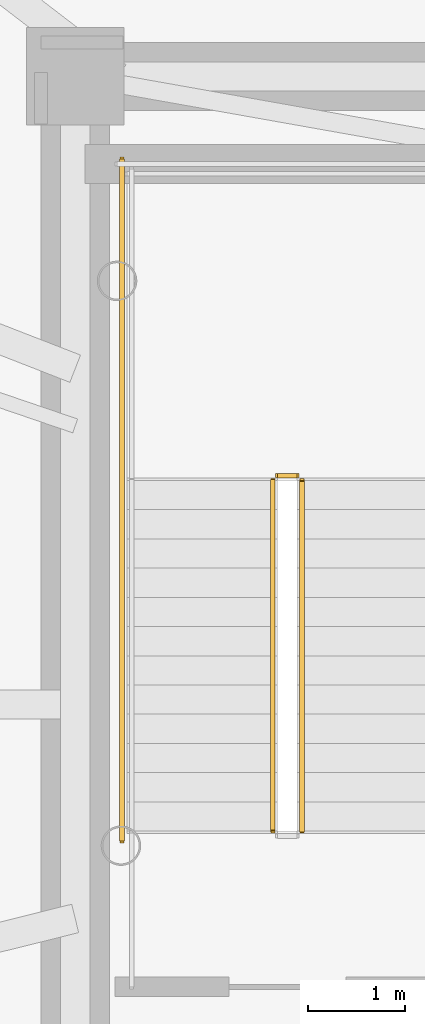
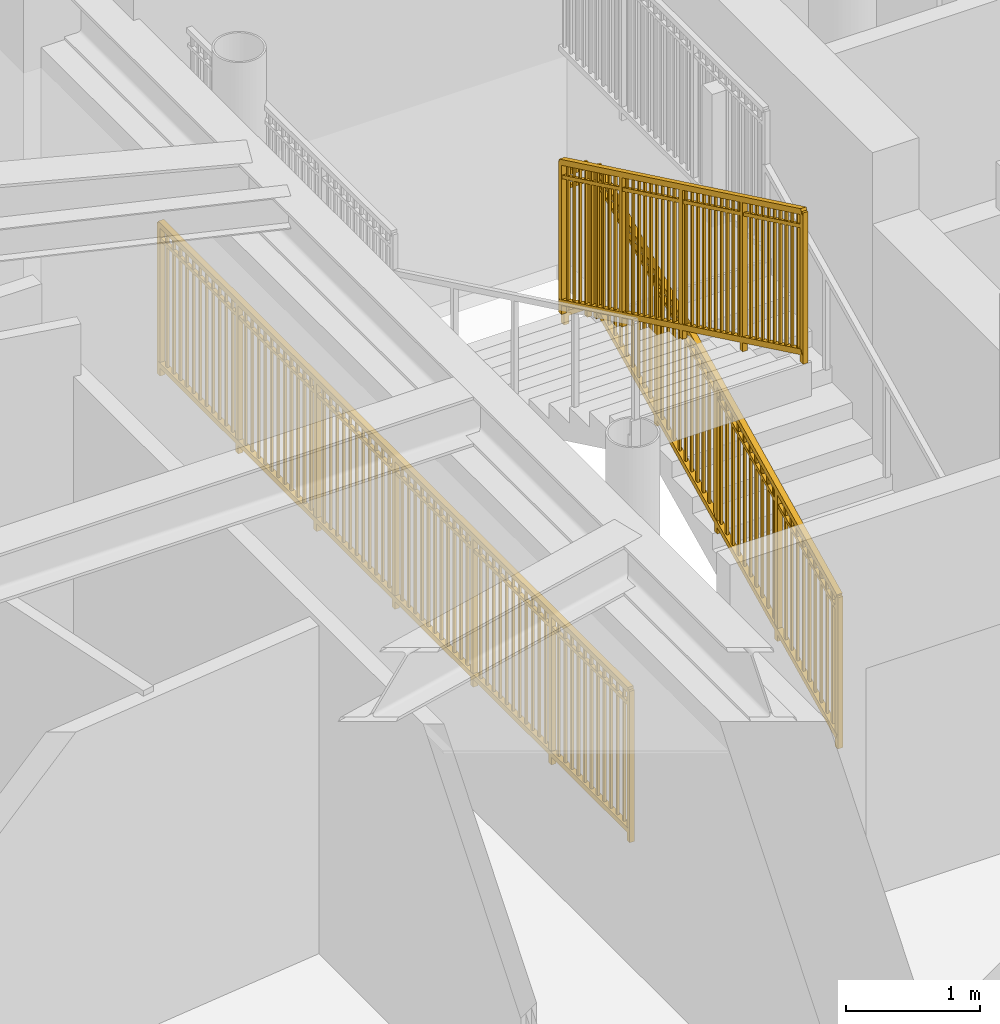
# One storey, part 13 of 17: 4 railings.
"""IFC4 building model written with IfcOpenShell, lengths in metres."""

from ifc_helpers import new_model, si_unit, direction, frame, origin, origin_2d, place, context, subcontext, project, spatial, rectangle, extrude, source, transform, mapped, material, type_object, element, save


model = new_model("IFC4")

# Units and contexts
model_context = context("Model", 3, precision=1e-05, world=origin(), true_north=direction((0.0, 1.0)))
body_context = subcontext(model_context, "Body", "Model", "MODEL_VIEW")
ifc_project = project(units=[si_unit("LENGTHUNIT", "METRE"), si_unit("AREAUNIT", "SQUARE_METRE"), si_unit("VOLUMEUNIT", "CUBIC_METRE"), si_unit("PLANEANGLEUNIT", "RADIAN"), si_unit("MASSUNIT", "GRAM", prefix="KILO")], contexts=[model_context])

# Site, building, storey
site_placement = place(None, origin())
site = spatial("IfcSite", under=ifc_project, at=site_placement, CompositionType="ELEMENT")
building_placement = place(site_placement, origin())
building = spatial("IfcBuilding", under=site, at=building_placement, Name="Linh Dai School and Residence Tower", CompositionType="ELEMENT")
storey_placement = place(building_placement, frame((0.0, 0.0, 299.25)))
storey = spatial("IfcBuildingStorey", under=building, at=storey_placement, Name="L74", CompositionType="ELEMENT", Elevation=299.25)

# Railings
ifc_material = material(Name="Structural Steel S355JR", Category="steel")
railing_type = type_object("IfcRailingType", Name="RL-ST-GUARD-1400", PredefinedType="GUARDRAIL", material=ifc_material)
shared_shape_1 = source(origin(), body_context, "Body", "SweptSolid", [
    extrude(rectangle(XDim=0.048095703125, YDim=0.048095703125, at=origin_2d()), frame((0.0, 0.0, 1.3759765625), z_axis=(-1.0, 0.0, 0.0), x_axis=(0.0, -1.0, 0.0)), (0.0, 0.0, 1.0), 0.199951171875),
    extrude(rectangle(XDim=0.048095703125, YDim=0.048095703125, at=origin_2d()), frame((0.0, 0.0, 0.10009765625), z_axis=(-1.0, 0.0, 0.0), x_axis=(0.0, -1.0, 0.0)), (0.0, 0.0, 1.0), 0.199951171875),
    extrude(rectangle(XDim=0.030029296875, YDim=0.030029296875, at=origin_2d()), frame((0.0, 0.0, 1.239990234375), z_axis=(-1.0, 0.0, 0.0), x_axis=(0.0, -1.0, 0.0)), (0.0, 0.0, 1.0), 0.199951171875),
    extrude(rectangle(XDim=0.0419921875, YDim=0.0419921875, at=origin_2d()), origin(), (0.0, 0.0, 1.0), 1.3759765625),
    extrude(rectangle(XDim=0.0419921875, YDim=0.0419921875, at=origin_2d()), frame((-0.199951171875, 0.0, 0.0)), (0.0, 0.0, 1.0), 1.3759765625),
])
railing_1_placement = place(storey_placement, frame((29.429931640625, 29.35009765625, 1.875)))
element("IfcRailing", 1, at=railing_1_placement, inside=storey, type_object=railing_type, Name="L74 ST1 stair guard 2", PredefinedType="GUARDRAIL", context=body_context, shape_type="MappedRepresentation", body=[
    mapped(shared_shape_1, transform((0.0, 0.0, 0.0), x_axis=(1.0, 0.0, 0.0), y_axis=(0.0, 1.0, 0.0), z_axis=(0.0, 0.0, 1.0), scale=1.0)),
])
shared_shape_2 = source(origin(), body_context, "Body", "SweptSolid", [
    extrude(rectangle(XDim=0.048095703125, YDim=0.048095703125, at=origin_2d()), frame((0.0, 0.0, 1.3759765625), z_axis=(0.0, 1.0, 0.0), x_axis=(-1.0, 0.0, 0.0)), (0.0, 0.0, 1.0), 7.0),
    extrude(rectangle(XDim=0.048095703125, YDim=0.048095703125, at=origin_2d()), frame((0.0, 0.0, 0.10009765625), z_axis=(0.0, 1.0, 0.0), x_axis=(-1.0, 0.0, 0.0)), (0.0, 0.0, 1.0), 7.0),
    extrude(rectangle(XDim=0.030029296875, YDim=0.030029296875, at=origin_2d()), frame((0.0, 0.0, 1.239990234375), z_axis=(0.0, 1.0, 0.0), x_axis=(-1.0, 0.0, 0.0)), (0.0, 0.0, 1.0), 7.0),
    extrude(rectangle(XDim=0.02001953125, YDim=0.02001953125, at=origin_2d()), frame((0.0, 0.09716796875, 0.10009765625)), (0.0, 0.0, 1.0), 1.251708984375),
    extrude(rectangle(XDim=0.02001953125, YDim=0.02001953125, at=origin_2d()), frame((0.0, 0.1943359375, 0.10009765625)), (0.0, 0.0, 1.0), 1.251708984375),
    extrude(rectangle(XDim=0.02001953125, YDim=0.02001953125, at=origin_2d()), frame((0.0, 0.291748046875, 0.10009765625)), (0.0, 0.0, 1.0), 1.251708984375),
    extrude(rectangle(XDim=0.02001953125, YDim=0.02001953125, at=origin_2d()), frame((0.0, 0.388916015625, 0.10009765625)), (0.0, 0.0, 1.0), 1.251708984375),
    extrude(rectangle(XDim=0.02001953125, YDim=0.02001953125, at=origin_2d()), frame((0.0, 0.486083984375, 0.10009765625)), (0.0, 0.0, 1.0), 1.251708984375),
    extrude(rectangle(XDim=0.02001953125, YDim=0.02001953125, at=origin_2d()), frame((0.0, 0.583251953125, 0.10009765625)), (0.0, 0.0, 1.0), 1.251708984375),
    extrude(rectangle(XDim=0.02001953125, YDim=0.02001953125, at=origin_2d()), frame((0.0, 0.6806640625, 0.10009765625)), (0.0, 0.0, 1.0), 1.251708984375),
    extrude(rectangle(XDim=0.02001953125, YDim=0.02001953125, at=origin_2d()), frame((0.0, 0.77783203125, 0.10009765625)), (0.0, 0.0, 1.0), 1.251708984375),
    extrude(rectangle(XDim=0.02001953125, YDim=0.02001953125, at=origin_2d()), frame((0.0, 0.875, 0.10009765625)), (0.0, 0.0, 1.0), 1.251708984375),
    extrude(rectangle(XDim=0.02001953125, YDim=0.02001953125, at=origin_2d()), frame((0.0, 0.97216796875, 0.10009765625)), (0.0, 0.0, 1.0), 1.251708984375),
    extrude(rectangle(XDim=0.02001953125, YDim=0.02001953125, at=origin_2d()), frame((0.0, 1.0693359375, 0.10009765625)), (0.0, 0.0, 1.0), 1.251708984375),
    extrude(rectangle(XDim=0.02001953125, YDim=0.02001953125, at=origin_2d()), frame((0.0, 1.263916015625, 0.10009765625)), (0.0, 0.0, 1.0), 1.251708984375),
    extrude(rectangle(XDim=0.02001953125, YDim=0.02001953125, at=origin_2d()), frame((0.0, 1.361083984375, 0.10009765625)), (0.0, 0.0, 1.0), 1.251708984375),
    extrude(rectangle(XDim=0.02001953125, YDim=0.02001953125, at=origin_2d()), frame((0.0, 1.458251953125, 0.10009765625)), (0.0, 0.0, 1.0), 1.251708984375),
    extrude(rectangle(XDim=0.02001953125, YDim=0.02001953125, at=origin_2d()), frame((0.0, 1.5556640625, 0.10009765625)), (0.0, 0.0, 1.0), 1.251708984375),
    extrude(rectangle(XDim=0.02001953125, YDim=0.02001953125, at=origin_2d()), frame((0.0, 1.65283203125, 0.10009765625)), (0.0, 0.0, 1.0), 1.251708984375),
    extrude(rectangle(XDim=0.02001953125, YDim=0.02001953125, at=origin_2d()), frame((0.0, 1.75, 0.10009765625)), (0.0, 0.0, 1.0), 1.251708984375),
    extrude(rectangle(XDim=0.02001953125, YDim=0.02001953125, at=origin_2d()), frame((0.0, 1.84716796875, 0.10009765625)), (0.0, 0.0, 1.0), 1.251708984375),
    extrude(rectangle(XDim=0.02001953125, YDim=0.02001953125, at=origin_2d()), frame((0.0, 1.9443359375, 0.10009765625)), (0.0, 0.0, 1.0), 1.251708984375),
    extrude(rectangle(XDim=0.02001953125, YDim=0.02001953125, at=origin_2d()), frame((0.0, 2.041748046875, 0.10009765625)), (0.0, 0.0, 1.0), 1.251708984375),
    extrude(rectangle(XDim=0.02001953125, YDim=0.02001953125, at=origin_2d()), frame((0.0, 2.138916015625, 0.10009765625)), (0.0, 0.0, 1.0), 1.251708984375),
    extrude(rectangle(XDim=0.02001953125, YDim=0.02001953125, at=origin_2d()), frame((0.0, 2.236083984375, 0.10009765625)), (0.0, 0.0, 1.0), 1.251708984375),
    extrude(rectangle(XDim=0.02001953125, YDim=0.02001953125, at=origin_2d()), frame((0.0, 2.4306640625, 0.10009765625)), (0.0, 0.0, 1.0), 1.251708984375),
    extrude(rectangle(XDim=0.02001953125, YDim=0.02001953125, at=origin_2d()), frame((0.0, 2.52783203125, 0.10009765625)), (0.0, 0.0, 1.0), 1.251708984375),
    extrude(rectangle(XDim=0.02001953125, YDim=0.02001953125, at=origin_2d()), frame((0.0, 2.625, 0.10009765625)), (0.0, 0.0, 1.0), 1.251708984375),
    extrude(rectangle(XDim=0.02001953125, YDim=0.02001953125, at=origin_2d()), frame((0.0, 2.72216796875, 0.10009765625)), (0.0, 0.0, 1.0), 1.251708984375),
    extrude(rectangle(XDim=0.02001953125, YDim=0.02001953125, at=origin_2d()), frame((0.0, 2.8193359375, 0.10009765625)), (0.0, 0.0, 1.0), 1.251708984375),
    extrude(rectangle(XDim=0.02001953125, YDim=0.02001953125, at=origin_2d()), frame((0.0, 2.916748046875, 0.10009765625)), (0.0, 0.0, 1.0), 1.251708984375),
    extrude(rectangle(XDim=0.02001953125, YDim=0.02001953125, at=origin_2d()), frame((0.0, 3.013916015625, 0.10009765625)), (0.0, 0.0, 1.0), 1.251708984375),
    extrude(rectangle(XDim=0.02001953125, YDim=0.02001953125, at=origin_2d()), frame((0.0, 3.111083984375, 0.10009765625)), (0.0, 0.0, 1.0), 1.251708984375),
    extrude(rectangle(XDim=0.02001953125, YDim=0.02001953125, at=origin_2d()), frame((0.0, 3.208251953125, 0.10009765625)), (0.0, 0.0, 1.0), 1.251708984375),
    extrude(rectangle(XDim=0.02001953125, YDim=0.02001953125, at=origin_2d()), frame((0.0, 3.3056640625, 0.10009765625)), (0.0, 0.0, 1.0), 1.251708984375),
    extrude(rectangle(XDim=0.02001953125, YDim=0.02001953125, at=origin_2d()), frame((0.0, 3.40283203125, 0.10009765625)), (0.0, 0.0, 1.0), 1.251708984375),
    extrude(rectangle(XDim=0.02001953125, YDim=0.02001953125, at=origin_2d()), frame((0.0, 3.59716796875, 0.10009765625)), (0.0, 0.0, 1.0), 1.251708984375),
    extrude(rectangle(XDim=0.02001953125, YDim=0.02001953125, at=origin_2d()), frame((0.0, 3.6943359375, 0.10009765625)), (0.0, 0.0, 1.0), 1.251708984375),
    extrude(rectangle(XDim=0.02001953125, YDim=0.02001953125, at=origin_2d()), frame((0.0, 3.791748046875, 0.10009765625)), (0.0, 0.0, 1.0), 1.251708984375),
    extrude(rectangle(XDim=0.02001953125, YDim=0.02001953125, at=origin_2d()), frame((0.0, 3.888916015625, 0.10009765625)), (0.0, 0.0, 1.0), 1.251708984375),
    extrude(rectangle(XDim=0.02001953125, YDim=0.02001953125, at=origin_2d()), frame((0.0, 3.986083984375, 0.10009765625)), (0.0, 0.0, 1.0), 1.251708984375),
    extrude(rectangle(XDim=0.02001953125, YDim=0.02001953125, at=origin_2d()), frame((0.0, 4.083251953125, 0.10009765625)), (0.0, 0.0, 1.0), 1.251708984375),
    extrude(rectangle(XDim=0.02001953125, YDim=0.02001953125, at=origin_2d()), frame((0.0, 4.1806640625, 0.10009765625)), (0.0, 0.0, 1.0), 1.251708984375),
    extrude(rectangle(XDim=0.02001953125, YDim=0.02001953125, at=origin_2d()), frame((0.0, 4.27783203125, 0.10009765625)), (0.0, 0.0, 1.0), 1.251708984375),
    extrude(rectangle(XDim=0.02001953125, YDim=0.02001953125, at=origin_2d()), frame((0.0, 4.375, 0.10009765625)), (0.0, 0.0, 1.0), 1.251708984375),
    extrude(rectangle(XDim=0.02001953125, YDim=0.02001953125, at=origin_2d()), frame((0.0, 4.47216796875, 0.10009765625)), (0.0, 0.0, 1.0), 1.251708984375),
    extrude(rectangle(XDim=0.02001953125, YDim=0.02001953125, at=origin_2d()), frame((0.0, 4.5693359375, 0.10009765625)), (0.0, 0.0, 1.0), 1.251708984375),
    extrude(rectangle(XDim=0.02001953125, YDim=0.02001953125, at=origin_2d()), frame((0.0, 4.763916015625, 0.10009765625)), (0.0, 0.0, 1.0), 1.251708984375),
    extrude(rectangle(XDim=0.02001953125, YDim=0.02001953125, at=origin_2d()), frame((0.0, 4.861083984375, 0.10009765625)), (0.0, 0.0, 1.0), 1.251708984375),
    extrude(rectangle(XDim=0.02001953125, YDim=0.02001953125, at=origin_2d()), frame((0.0, 4.958251953125, 0.10009765625)), (0.0, 0.0, 1.0), 1.251708984375),
    extrude(rectangle(XDim=0.02001953125, YDim=0.02001953125, at=origin_2d()), frame((0.0, 5.0556640625, 0.10009765625)), (0.0, 0.0, 1.0), 1.251708984375),
    extrude(rectangle(XDim=0.02001953125, YDim=0.02001953125, at=origin_2d()), frame((0.0, 5.15283203125, 0.10009765625)), (0.0, 0.0, 1.0), 1.251708984375),
    extrude(rectangle(XDim=0.02001953125, YDim=0.02001953125, at=origin_2d()), frame((0.0, 5.25, 0.10009765625)), (0.0, 0.0, 1.0), 1.251708984375),
    extrude(rectangle(XDim=0.02001953125, YDim=0.02001953125, at=origin_2d()), frame((0.0, 5.34716796875, 0.10009765625)), (0.0, 0.0, 1.0), 1.251708984375),
    extrude(rectangle(XDim=0.02001953125, YDim=0.02001953125, at=origin_2d()), frame((0.0, 5.4443359375, 0.10009765625)), (0.0, 0.0, 1.0), 1.251708984375),
    extrude(rectangle(XDim=0.02001953125, YDim=0.02001953125, at=origin_2d()), frame((0.0, 5.541748046875, 0.10009765625)), (0.0, 0.0, 1.0), 1.251708984375),
    extrude(rectangle(XDim=0.02001953125, YDim=0.02001953125, at=origin_2d()), frame((0.0, 5.638916015625, 0.10009765625)), (0.0, 0.0, 1.0), 1.251708984375),
    extrude(rectangle(XDim=0.02001953125, YDim=0.02001953125, at=origin_2d()), frame((0.0, 5.736083984375, 0.10009765625)), (0.0, 0.0, 1.0), 1.251708984375),
    extrude(rectangle(XDim=0.02001953125, YDim=0.02001953125, at=origin_2d()), frame((0.0, 5.9306640625, 0.10009765625)), (0.0, 0.0, 1.0), 1.251708984375),
    extrude(rectangle(XDim=0.02001953125, YDim=0.02001953125, at=origin_2d()), frame((0.0, 6.02783203125, 0.10009765625)), (0.0, 0.0, 1.0), 1.251708984375),
    extrude(rectangle(XDim=0.02001953125, YDim=0.02001953125, at=origin_2d()), frame((0.0, 6.125, 0.10009765625)), (0.0, 0.0, 1.0), 1.251708984375),
    extrude(rectangle(XDim=0.02001953125, YDim=0.02001953125, at=origin_2d()), frame((0.0, 6.22216796875, 0.10009765625)), (0.0, 0.0, 1.0), 1.251708984375),
    extrude(rectangle(XDim=0.02001953125, YDim=0.02001953125, at=origin_2d()), frame((0.0, 6.3193359375, 0.10009765625)), (0.0, 0.0, 1.0), 1.251708984375),
    extrude(rectangle(XDim=0.02001953125, YDim=0.02001953125, at=origin_2d()), frame((0.0, 6.416748046875, 0.10009765625)), (0.0, 0.0, 1.0), 1.251708984375),
    extrude(rectangle(XDim=0.02001953125, YDim=0.02001953125, at=origin_2d()), frame((0.0, 6.513916015625, 0.10009765625)), (0.0, 0.0, 1.0), 1.251708984375),
    extrude(rectangle(XDim=0.02001953125, YDim=0.02001953125, at=origin_2d()), frame((0.0, 6.611083984375, 0.10009765625)), (0.0, 0.0, 1.0), 1.251708984375),
    extrude(rectangle(XDim=0.02001953125, YDim=0.02001953125, at=origin_2d()), frame((0.0, 6.708251953125, 0.10009765625)), (0.0, 0.0, 1.0), 1.251708984375),
    extrude(rectangle(XDim=0.02001953125, YDim=0.02001953125, at=origin_2d()), frame((0.0, 6.8056640625, 0.10009765625)), (0.0, 0.0, 1.0), 1.251708984375),
    extrude(rectangle(XDim=0.02001953125, YDim=0.02001953125, at=origin_2d()), frame((0.0, 6.90283203125, 0.10009765625)), (0.0, 0.0, 1.0), 1.251708984375),
    extrude(rectangle(XDim=0.0419921875, YDim=0.0419921875, at=origin_2d()), origin(), (0.0, 0.0, 1.0), 1.3759765625),
    extrude(rectangle(XDim=0.0419921875, YDim=0.0419921875, at=origin_2d()), frame((0.0, 1.166748046875, 0.0)), (0.0, 0.0, 1.0), 1.3759765625),
    extrude(rectangle(XDim=0.0419921875, YDim=0.0419921875, at=origin_2d()), frame((0.0, 2.333251953125, 0.0)), (0.0, 0.0, 1.0), 1.3759765625),
    extrude(rectangle(XDim=0.0419921875, YDim=0.0419921875, at=origin_2d()), frame((0.0, 3.5, 0.0)), (0.0, 0.0, 1.0), 1.3759765625),
    extrude(rectangle(XDim=0.0419921875, YDim=0.0419921875, at=origin_2d()), frame((0.0, 4.666748046875, 0.0)), (0.0, 0.0, 1.0), 1.3759765625),
    extrude(rectangle(XDim=0.0419921875, YDim=0.0419921875, at=origin_2d()), frame((0.0, 5.833251953125, 0.0)), (0.0, 0.0, 1.0), 1.3759765625),
    extrude(rectangle(XDim=0.0419921875, YDim=0.0419921875, at=origin_2d()), frame((0.0, 7.0, 0.0)), (0.0, 0.0, 1.0), 1.3759765625),
])
railing_2_placement = place(storey_placement, frame((27.6298828125, 25.60009765625, 0.0)))
element("IfcRailing", 2, at=railing_2_placement, inside=storey, type_object=railing_type, Name="L74 ST1 stair guard 11", PredefinedType="GUARDRAIL", context=body_context, shape_type="MappedRepresentation", body=[
    mapped(shared_shape_2, transform((0.0, 0.0, 0.0), x_axis=(1.0, 0.0, 0.0), y_axis=(0.0, 1.0, 0.0), z_axis=(0.0, 0.0, 1.0), scale=1.0)),
])
shared_shape_3 = source(origin(), body_context, "Body", "SweptSolid", [
    extrude(rectangle(XDim=0.048095703125, YDim=0.048095703125, at=origin_2d()), frame((0.0, 0.0, 1.3759765625), z_axis=(0.0, 0.901262522062, 0.433273431364), x_axis=(-1.0, 0.0, 0.0)), (0.0, 0.0, 1.0), 3.994384765625),
    extrude(rectangle(XDim=0.048095703125, YDim=0.048095703125, at=origin_2d()), frame((0.0, 0.0, 0.10009765625), z_axis=(0.0, 0.901262522062, 0.433273431364), x_axis=(-1.0, 0.0, 0.0)), (0.0, 0.0, 1.0), 3.994384765625),
    extrude(rectangle(XDim=0.030029296875, YDim=0.030029296875, at=origin_2d()), frame((0.0, 0.0, 1.239990234375), z_axis=(0.0, 0.901262522062, 0.433273431364), x_axis=(-1.0, 0.0, 0.0)), (0.0, 0.0, 1.0), 3.994384765625),
    extrude(rectangle(XDim=0.02001953125, YDim=0.02001953125, at=origin_2d()), frame((0.0, 0.087890625, 0.142333984375)), (0.0, 0.0, 1.0), 1.251708984375),
    extrude(rectangle(XDim=0.02001953125, YDim=0.02001953125, at=origin_2d()), frame((0.0, 0.175537109375, 0.1845703125)), (0.0, 0.0, 1.0), 1.251708984375),
    extrude(rectangle(XDim=0.02001953125, YDim=0.02001953125, at=origin_2d()), frame((0.0, 0.263427734375, 0.226806640625)), (0.0, 0.0, 1.0), 1.251708984375),
    extrude(rectangle(XDim=0.02001953125, YDim=0.02001953125, at=origin_2d()), frame((0.0, 0.351318359375, 0.26904296875)), (0.0, 0.0, 1.0), 1.251708984375),
    extrude(rectangle(XDim=0.02001953125, YDim=0.02001953125, at=origin_2d()), frame((0.0, 0.43896484375, 0.311279296875)), (0.0, 0.0, 1.0), 1.251708984375),
    extrude(rectangle(XDim=0.02001953125, YDim=0.02001953125, at=origin_2d()), frame((0.0, 0.52685546875, 0.353271484375)), (0.0, 0.0, 1.0), 1.251708984375),
    extrude(rectangle(XDim=0.02001953125, YDim=0.02001953125, at=origin_2d()), frame((0.0, 0.61474609375, 0.3955078125)), (0.0, 0.0, 1.0), 1.251708984375),
    extrude(rectangle(XDim=0.02001953125, YDim=0.02001953125, at=origin_2d()), frame((0.0, 0.702392578125, 0.437744140625)), (0.0, 0.0, 1.0), 1.251708984375),
    extrude(rectangle(XDim=0.02001953125, YDim=0.02001953125, at=origin_2d()), frame((0.0, 0.790283203125, 0.47998046875)), (0.0, 0.0, 1.0), 1.251708984375),
    extrude(rectangle(XDim=0.02001953125, YDim=0.02001953125, at=origin_2d()), frame((0.0, 0.9658203125, 0.564453125)), (0.0, 0.0, 1.0), 1.251708984375),
    extrude(rectangle(XDim=0.02001953125, YDim=0.02001953125, at=origin_2d()), frame((0.0, 1.0537109375, 0.606689453125)), (0.0, 0.0, 1.0), 1.251708984375),
    extrude(rectangle(XDim=0.02001953125, YDim=0.02001953125, at=origin_2d()), frame((0.0, 1.1416015625, 0.64892578125)), (0.0, 0.0, 1.0), 1.251708984375),
    extrude(rectangle(XDim=0.02001953125, YDim=0.02001953125, at=origin_2d()), frame((0.0, 1.229248046875, 0.691162109375)), (0.0, 0.0, 1.0), 1.251708984375),
    extrude(rectangle(XDim=0.02001953125, YDim=0.02001953125, at=origin_2d()), frame((0.0, 1.317138671875, 0.7333984375)), (0.0, 0.0, 1.0), 1.251708984375),
    extrude(rectangle(XDim=0.02001953125, YDim=0.02001953125, at=origin_2d()), frame((0.0, 1.405029296875, 0.775390625)), (0.0, 0.0, 1.0), 1.251708984375),
    extrude(rectangle(XDim=0.02001953125, YDim=0.02001953125, at=origin_2d()), frame((0.0, 1.49267578125, 0.817626953125)), (0.0, 0.0, 1.0), 1.251708984375),
    extrude(rectangle(XDim=0.02001953125, YDim=0.02001953125, at=origin_2d()), frame((0.0, 1.58056640625, 0.85986328125)), (0.0, 0.0, 1.0), 1.251708984375),
    extrude(rectangle(XDim=0.02001953125, YDim=0.02001953125, at=origin_2d()), frame((0.0, 1.66845703125, 0.902099609375)), (0.0, 0.0, 1.0), 1.251708984375),
    extrude(rectangle(XDim=0.02001953125, YDim=0.02001953125, at=origin_2d()), frame((0.0, 1.756103515625, 0.9443359375)), (0.0, 0.0, 1.0), 1.251708984375),
    extrude(rectangle(XDim=0.02001953125, YDim=0.02001953125, at=origin_2d()), frame((0.0, 1.843994140625, 0.986572265625)), (0.0, 0.0, 1.0), 1.251708984375),
    extrude(rectangle(XDim=0.02001953125, YDim=0.02001953125, at=origin_2d()), frame((0.0, 1.931640625, 1.02880859375)), (0.0, 0.0, 1.0), 1.251708984375),
    extrude(rectangle(XDim=0.02001953125, YDim=0.02001953125, at=origin_2d()), frame((0.0, 2.01953125, 1.071044921875)), (0.0, 0.0, 1.0), 1.251708984375),
    extrude(rectangle(XDim=0.02001953125, YDim=0.02001953125, at=origin_2d()), frame((0.0, 2.107421875, 1.11328125)), (0.0, 0.0, 1.0), 1.251708984375),
    extrude(rectangle(XDim=0.02001953125, YDim=0.02001953125, at=origin_2d()), frame((0.0, 2.195068359375, 1.155517578125)), (0.0, 0.0, 1.0), 1.251708984375),
    extrude(rectangle(XDim=0.02001953125, YDim=0.02001953125, at=origin_2d()), frame((0.0, 2.282958984375, 1.197509765625)), (0.0, 0.0, 1.0), 1.251708984375),
    extrude(rectangle(XDim=0.02001953125, YDim=0.02001953125, at=origin_2d()), frame((0.0, 2.370849609375, 1.23974609375)), (0.0, 0.0, 1.0), 1.251708984375),
    extrude(rectangle(XDim=0.02001953125, YDim=0.02001953125, at=origin_2d()), frame((0.0, 2.45849609375, 1.281982421875)), (0.0, 0.0, 1.0), 1.251708984375),
    extrude(rectangle(XDim=0.02001953125, YDim=0.02001953125, at=origin_2d()), frame((0.0, 2.54638671875, 1.32421875)), (0.0, 0.0, 1.0), 1.251708984375),
    extrude(rectangle(XDim=0.02001953125, YDim=0.02001953125, at=origin_2d()), frame((0.0, 2.63427734375, 1.366455078125)), (0.0, 0.0, 1.0), 1.251708984375),
    extrude(rectangle(XDim=0.02001953125, YDim=0.02001953125, at=origin_2d()), frame((0.0, 2.809814453125, 1.450927734375)), (0.0, 0.0, 1.0), 1.251708984375),
    extrude(rectangle(XDim=0.02001953125, YDim=0.02001953125, at=origin_2d()), frame((0.0, 2.897705078125, 1.4931640625)), (0.0, 0.0, 1.0), 1.251708984375),
    extrude(rectangle(XDim=0.02001953125, YDim=0.02001953125, at=origin_2d()), frame((0.0, 2.9853515625, 1.535400390625)), (0.0, 0.0, 1.0), 1.251708984375),
    extrude(rectangle(XDim=0.02001953125, YDim=0.02001953125, at=origin_2d()), frame((0.0, 3.0732421875, 1.57763671875)), (0.0, 0.0, 1.0), 1.251708984375),
    extrude(rectangle(XDim=0.02001953125, YDim=0.02001953125, at=origin_2d()), frame((0.0, 3.1611328125, 1.61962890625)), (0.0, 0.0, 1.0), 1.251708984375),
    extrude(rectangle(XDim=0.02001953125, YDim=0.02001953125, at=origin_2d()), frame((0.0, 3.248779296875, 1.661865234375)), (0.0, 0.0, 1.0), 1.251708984375),
    extrude(rectangle(XDim=0.02001953125, YDim=0.02001953125, at=origin_2d()), frame((0.0, 3.336669921875, 1.7041015625)), (0.0, 0.0, 1.0), 1.251708984375),
    extrude(rectangle(XDim=0.02001953125, YDim=0.02001953125, at=origin_2d()), frame((0.0, 3.424560546875, 1.746337890625)), (0.0, 0.0, 1.0), 1.251708984375),
    extrude(rectangle(XDim=0.02001953125, YDim=0.02001953125, at=origin_2d()), frame((0.0, 3.51220703125, 1.78857421875)), (0.0, 0.0, 1.0), 1.251708984375),
    extrude(rectangle(XDim=0.0419921875, YDim=0.0419921875, at=origin_2d()), origin(), (0.0, 0.0, 1.0), 1.3759765625),
    extrude(rectangle(XDim=0.0419921875, YDim=0.0419921875, at=origin_2d()), frame((0.0, 0.89990234375, 0.4326171875)), (0.0, 0.0, 1.0), 1.3759765625),
    extrude(rectangle(XDim=0.0419921875, YDim=0.0419921875, at=origin_2d()), frame((0.0, 1.800048828125, 0.865234375)), (0.0, 0.0, 1.0), 1.3759765625),
    extrude(rectangle(XDim=0.0419921875, YDim=0.0419921875, at=origin_2d()), frame((0.0, 2.7001953125, 1.298095703125)), (0.0, 0.0, 1.0), 1.3759765625),
    extrude(rectangle(XDim=0.0419921875, YDim=0.0419921875, at=origin_2d()), frame((0.0, 3.60009765625, 1.730712890625)), (0.0, 0.0, 1.0), 1.3759765625),
])
railing_3_placement = place(storey_placement, frame((29.47998046875, 25.699951171875, 0.144287109375)))
element("IfcRailing", 3, at=railing_3_placement, inside=storey, type_object=railing_type, Name="L74 ST1 stair guard 1", PredefinedType="GUARDRAIL", context=body_context, shape_type="MappedRepresentation", body=[
    mapped(shared_shape_3, transform((0.0, 0.0, 0.0), x_axis=(1.0, 0.0, 0.0), y_axis=(0.0, 1.0, 0.0), z_axis=(0.0, 0.0, 1.0), scale=1.0)),
])
shared_shape_4 = source(origin(), body_context, "Body", "SweptSolid", [
    extrude(rectangle(XDim=0.048095703125, YDim=0.048095703125, at=origin_2d()), frame((0.0, 0.0, 1.3759765625), z_axis=(0.0, -0.901262522062, 0.433273431364), x_axis=(1.0, 0.0, 0.0)), (0.0, 0.0, 1.0), 3.994384765625),
    extrude(rectangle(XDim=0.048095703125, YDim=0.048095703125, at=origin_2d()), frame((0.0, 0.0, 0.10009765625), z_axis=(0.0, -0.901262522062, 0.433273431364), x_axis=(1.0, 0.0, 0.0)), (0.0, 0.0, 1.0), 3.994384765625),
    extrude(rectangle(XDim=0.030029296875, YDim=0.030029296875, at=origin_2d()), frame((0.0, 0.0, 1.239990234375), z_axis=(0.0, -0.901262522062, 0.433273431364), x_axis=(1.0, 0.0, 0.0)), (0.0, 0.0, 1.0), 3.994384765625),
    extrude(rectangle(XDim=0.02001953125, YDim=0.02001953125, at=origin_2d()), frame((0.0, -0.087890625, 0.142333984375)), (0.0, 0.0, 1.0), 1.251708984375),
    extrude(rectangle(XDim=0.02001953125, YDim=0.02001953125, at=origin_2d()), frame((0.0, -0.175537109375, 0.1845703125)), (0.0, 0.0, 1.0), 1.251708984375),
    extrude(rectangle(XDim=0.02001953125, YDim=0.02001953125, at=origin_2d()), frame((0.0, -0.263427734375, 0.226806640625)), (0.0, 0.0, 1.0), 1.251708984375),
    extrude(rectangle(XDim=0.02001953125, YDim=0.02001953125, at=origin_2d()), frame((0.0, -0.351318359375, 0.26904296875)), (0.0, 0.0, 1.0), 1.251708984375),
    extrude(rectangle(XDim=0.02001953125, YDim=0.02001953125, at=origin_2d()), frame((0.0, -0.43896484375, 0.311279296875)), (0.0, 0.0, 1.0), 1.251708984375),
    extrude(rectangle(XDim=0.02001953125, YDim=0.02001953125, at=origin_2d()), frame((0.0, -0.52685546875, 0.353271484375)), (0.0, 0.0, 1.0), 1.251708984375),
    extrude(rectangle(XDim=0.02001953125, YDim=0.02001953125, at=origin_2d()), frame((0.0, -0.61474609375, 0.3955078125)), (0.0, 0.0, 1.0), 1.251708984375),
    extrude(rectangle(XDim=0.02001953125, YDim=0.02001953125, at=origin_2d()), frame((0.0, -0.702392578125, 0.437744140625)), (0.0, 0.0, 1.0), 1.251708984375),
    extrude(rectangle(XDim=0.02001953125, YDim=0.02001953125, at=origin_2d()), frame((0.0, -0.790283203125, 0.47998046875)), (0.0, 0.0, 1.0), 1.251708984375),
    extrude(rectangle(XDim=0.02001953125, YDim=0.02001953125, at=origin_2d()), frame((0.0, -0.9658203125, 0.564453125)), (0.0, 0.0, 1.0), 1.251708984375),
    extrude(rectangle(XDim=0.02001953125, YDim=0.02001953125, at=origin_2d()), frame((0.0, -1.0537109375, 0.606689453125)), (0.0, 0.0, 1.0), 1.251708984375),
    extrude(rectangle(XDim=0.02001953125, YDim=0.02001953125, at=origin_2d()), frame((0.0, -1.1416015625, 0.64892578125)), (0.0, 0.0, 1.0), 1.251708984375),
    extrude(rectangle(XDim=0.02001953125, YDim=0.02001953125, at=origin_2d()), frame((0.0, -1.229248046875, 0.691162109375)), (0.0, 0.0, 1.0), 1.251708984375),
    extrude(rectangle(XDim=0.02001953125, YDim=0.02001953125, at=origin_2d()), frame((0.0, -1.317138671875, 0.7333984375)), (0.0, 0.0, 1.0), 1.251708984375),
    extrude(rectangle(XDim=0.02001953125, YDim=0.02001953125, at=origin_2d()), frame((0.0, -1.405029296875, 0.775390625)), (0.0, 0.0, 1.0), 1.251708984375),
    extrude(rectangle(XDim=0.02001953125, YDim=0.02001953125, at=origin_2d()), frame((0.0, -1.49267578125, 0.817626953125)), (0.0, 0.0, 1.0), 1.251708984375),
    extrude(rectangle(XDim=0.02001953125, YDim=0.02001953125, at=origin_2d()), frame((0.0, -1.58056640625, 0.85986328125)), (0.0, 0.0, 1.0), 1.251708984375),
    extrude(rectangle(XDim=0.02001953125, YDim=0.02001953125, at=origin_2d()), frame((0.0, -1.66845703125, 0.902099609375)), (0.0, 0.0, 1.0), 1.251708984375),
    extrude(rectangle(XDim=0.02001953125, YDim=0.02001953125, at=origin_2d()), frame((0.0, -1.756103515625, 0.9443359375)), (0.0, 0.0, 1.0), 1.251708984375),
    extrude(rectangle(XDim=0.02001953125, YDim=0.02001953125, at=origin_2d()), frame((0.0, -1.843994140625, 0.986572265625)), (0.0, 0.0, 1.0), 1.251708984375),
    extrude(rectangle(XDim=0.02001953125, YDim=0.02001953125, at=origin_2d()), frame((0.0, -1.931640625, 1.02880859375)), (0.0, 0.0, 1.0), 1.251708984375),
    extrude(rectangle(XDim=0.02001953125, YDim=0.02001953125, at=origin_2d()), frame((0.0, -2.01953125, 1.071044921875)), (0.0, 0.0, 1.0), 1.251708984375),
    extrude(rectangle(XDim=0.02001953125, YDim=0.02001953125, at=origin_2d()), frame((0.0, -2.107421875, 1.11328125)), (0.0, 0.0, 1.0), 1.251708984375),
    extrude(rectangle(XDim=0.02001953125, YDim=0.02001953125, at=origin_2d()), frame((0.0, -2.195068359375, 1.155517578125)), (0.0, 0.0, 1.0), 1.251708984375),
    extrude(rectangle(XDim=0.02001953125, YDim=0.02001953125, at=origin_2d()), frame((0.0, -2.282958984375, 1.197509765625)), (0.0, 0.0, 1.0), 1.251708984375),
    extrude(rectangle(XDim=0.02001953125, YDim=0.02001953125, at=origin_2d()), frame((0.0, -2.370849609375, 1.23974609375)), (0.0, 0.0, 1.0), 1.251708984375),
    extrude(rectangle(XDim=0.02001953125, YDim=0.02001953125, at=origin_2d()), frame((0.0, -2.45849609375, 1.281982421875)), (0.0, 0.0, 1.0), 1.251708984375),
    extrude(rectangle(XDim=0.02001953125, YDim=0.02001953125, at=origin_2d()), frame((0.0, -2.54638671875, 1.32421875)), (0.0, 0.0, 1.0), 1.251708984375),
    extrude(rectangle(XDim=0.02001953125, YDim=0.02001953125, at=origin_2d()), frame((0.0, -2.63427734375, 1.366455078125)), (0.0, 0.0, 1.0), 1.251708984375),
    extrude(rectangle(XDim=0.02001953125, YDim=0.02001953125, at=origin_2d()), frame((0.0, -2.809814453125, 1.450927734375)), (0.0, 0.0, 1.0), 1.251708984375),
    extrude(rectangle(XDim=0.02001953125, YDim=0.02001953125, at=origin_2d()), frame((0.0, -2.897705078125, 1.4931640625)), (0.0, 0.0, 1.0), 1.251708984375),
    extrude(rectangle(XDim=0.02001953125, YDim=0.02001953125, at=origin_2d()), frame((0.0, -2.9853515625, 1.535400390625)), (0.0, 0.0, 1.0), 1.251708984375),
    extrude(rectangle(XDim=0.02001953125, YDim=0.02001953125, at=origin_2d()), frame((0.0, -3.0732421875, 1.57763671875)), (0.0, 0.0, 1.0), 1.251708984375),
    extrude(rectangle(XDim=0.02001953125, YDim=0.02001953125, at=origin_2d()), frame((0.0, -3.1611328125, 1.61962890625)), (0.0, 0.0, 1.0), 1.251708984375),
    extrude(rectangle(XDim=0.02001953125, YDim=0.02001953125, at=origin_2d()), frame((0.0, -3.248779296875, 1.661865234375)), (0.0, 0.0, 1.0), 1.251708984375),
    extrude(rectangle(XDim=0.02001953125, YDim=0.02001953125, at=origin_2d()), frame((0.0, -3.336669921875, 1.7041015625)), (0.0, 0.0, 1.0), 1.251708984375),
    extrude(rectangle(XDim=0.02001953125, YDim=0.02001953125, at=origin_2d()), frame((0.0, -3.424560546875, 1.746337890625)), (0.0, 0.0, 1.0), 1.251708984375),
    extrude(rectangle(XDim=0.02001953125, YDim=0.02001953125, at=origin_2d()), frame((0.0, -3.51220703125, 1.78857421875)), (0.0, 0.0, 1.0), 1.251708984375),
    extrude(rectangle(XDim=0.0419921875, YDim=0.0419921875, at=origin_2d()), origin(), (0.0, 0.0, 1.0), 1.3759765625),
    extrude(rectangle(XDim=0.0419921875, YDim=0.0419921875, at=origin_2d()), frame((0.0, -0.89990234375, 0.4326171875)), (0.0, 0.0, 1.0), 1.3759765625),
    extrude(rectangle(XDim=0.0419921875, YDim=0.0419921875, at=origin_2d()), frame((0.0, -1.800048828125, 0.865234375)), (0.0, 0.0, 1.0), 1.3759765625),
    extrude(rectangle(XDim=0.0419921875, YDim=0.0419921875, at=origin_2d()), frame((0.0, -2.7001953125, 1.298095703125)), (0.0, 0.0, 1.0), 1.3759765625),
    extrude(rectangle(XDim=0.0419921875, YDim=0.0419921875, at=origin_2d()), frame((0.0, -3.60009765625, 1.730712890625)), (0.0, 0.0, 1.0), 1.3759765625),
])
railing_4_placement = place(storey_placement, frame((29.179931640625, 29.300048828125, 2.019287109375)))
element("IfcRailing", 4, at=railing_4_placement, inside=storey, type_object=railing_type, Name="L74 ST1 stair guard 6", PredefinedType="GUARDRAIL", context=body_context, shape_type="MappedRepresentation", body=[
    mapped(shared_shape_4, transform((0.0, 0.0, 0.0), x_axis=(1.0, 0.0, 0.0), y_axis=(0.0, 1.0, 0.0), z_axis=(0.0, 0.0, 1.0), scale=1.0)),
])

save(model, "model.ifc")
